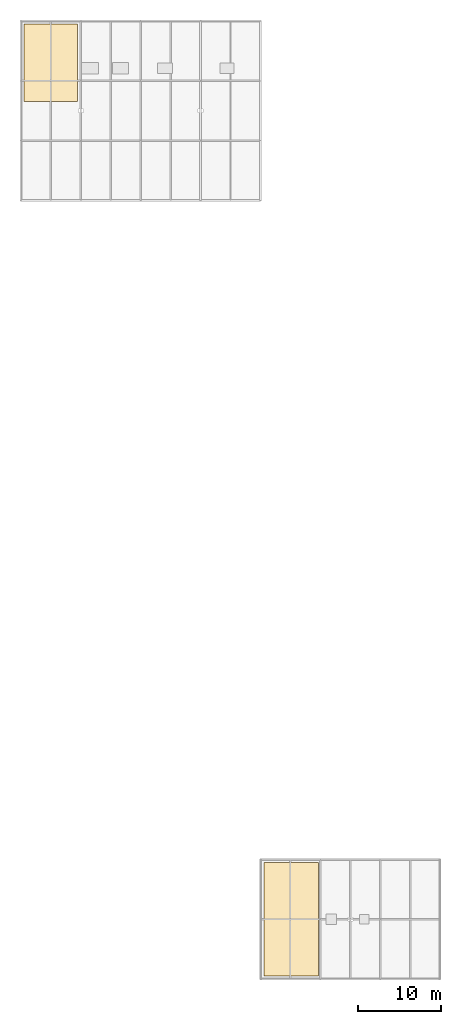
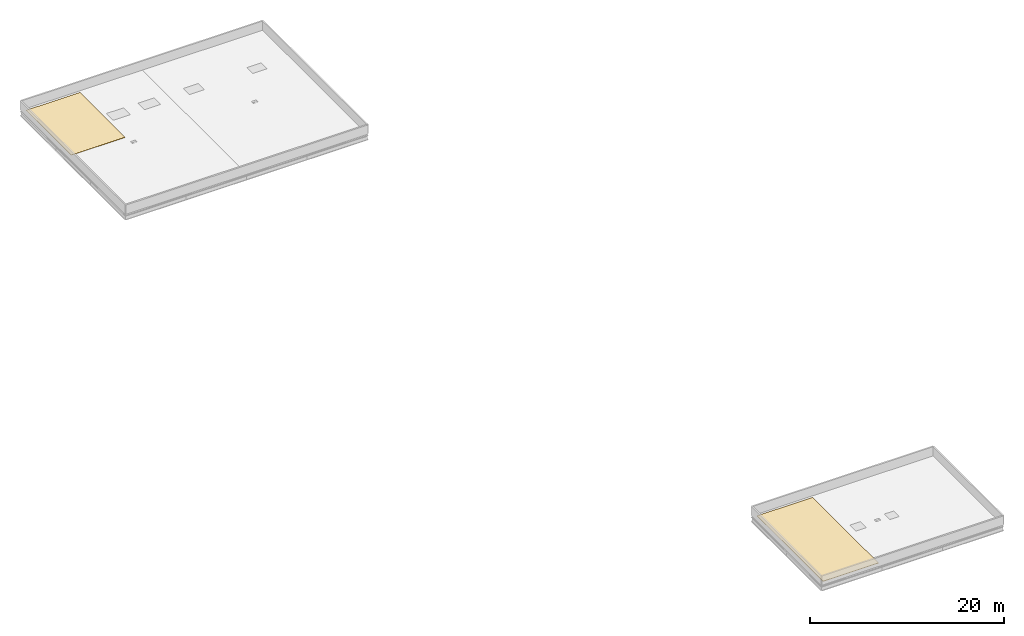
# One storey, part 2 of 2: 2 coverings.
"""IFC4 building model written with IfcOpenShell, lengths in metres."""

from ifc_helpers import new_model, si_unit, direction, frame, origin, place, context, subcontext, project, spatial, polyline, outline, extrude, material, layer, layer_set, type_object, element, save


model = new_model("IFC4")

# Units and contexts
model_context = context("Model", 3, precision=1e-05, world=origin(), true_north=direction((0.0, 1.0)))
body_context = subcontext(model_context, "Body", "Model", "MODEL_VIEW")
ifc_project = project(units=[si_unit("LENGTHUNIT", "METRE"), si_unit("AREAUNIT", "SQUARE_METRE"), si_unit("VOLUMEUNIT", "CUBIC_METRE"), si_unit("PLANEANGLEUNIT", "RADIAN"), si_unit("MASSUNIT", "GRAM", prefix="KILO")], contexts=[model_context])

# Site, building, storey
site_placement = place(None, origin())
site = spatial("IfcSite", under=ifc_project, at=site_placement, CompositionType="ELEMENT")
building_placement = place(site_placement, origin())
building = spatial("IfcBuilding", under=site, at=building_placement, Name="Yarey Park Central Fire Station", CompositionType="ELEMENT")
storey_placement = place(building_placement, frame((0.0, 0.0, 26.39990234375)))
storey = spatial("IfcBuildingStorey", under=building, at=storey_placement, Name="RF", CompositionType="ELEMENT", Elevation=26.39990234375)

# Coverings
ifc_material = material(Name="High-Albedo TPO Roofing Membrane", Category="membrane")
ifc_layer_1 = layer(ifc_material, 0.034912109375)
ifc_layer_set_1 = layer_set([ifc_layer_1], Name="High-Albedo TPO Roofing Membrane")
covering_type_1 = type_object("IfcCoveringType", Name="ENV_COV_ROOF_1", PredefinedType="ROOFING", material=ifc_layer_set_1)
covering_1_placement = place(storey_placement, origin())
element("IfcCovering", 1, at=covering_1_placement, inside=storey, type_object=covering_type_1, Name="ROOFING_RF_V4", PredefinedType="ROOFING", context=body_context, shape_type="SweptSolid", body=[
    extrude(outline(polyline([(115.60009765625, 105.5), (122.0, 105.5), (122.0, 114.800048828125), (115.60009765625, 114.800048828125), (115.60009765625, 105.5)])), origin(), (0.0, 0.0, 1.0), 0.03515625),
])
ifc_layer_2 = layer(ifc_material, 0.050048828125)
ifc_layer_set_2 = layer_set([ifc_layer_2], Name="High-Albedo TPO Roofing Membrane")
covering_type_2 = type_object("IfcCoveringType", Name="ENV_COV_ROOF_2", PredefinedType="ROOFING", material=ifc_layer_set_2)
covering_2_placement = place(storey_placement, origin())
element("IfcCovering", 2, at=covering_2_placement, inside=storey, type_object=covering_type_2, Name="ROOFING_RF_DT", PredefinedType="ROOFING", context=body_context, shape_type="SweptSolid", body=[
    extrude(outline(polyline([(144.39990234375, 0.39990234375), (151.0, 0.39990234375), (151.0, 14.0), (144.39990234375, 14.0), (144.39990234375, 0.39990234375)])), origin(), (0.0, 0.0, 1.0), 0.050048828125),
])

save(model, "model.ifc")
